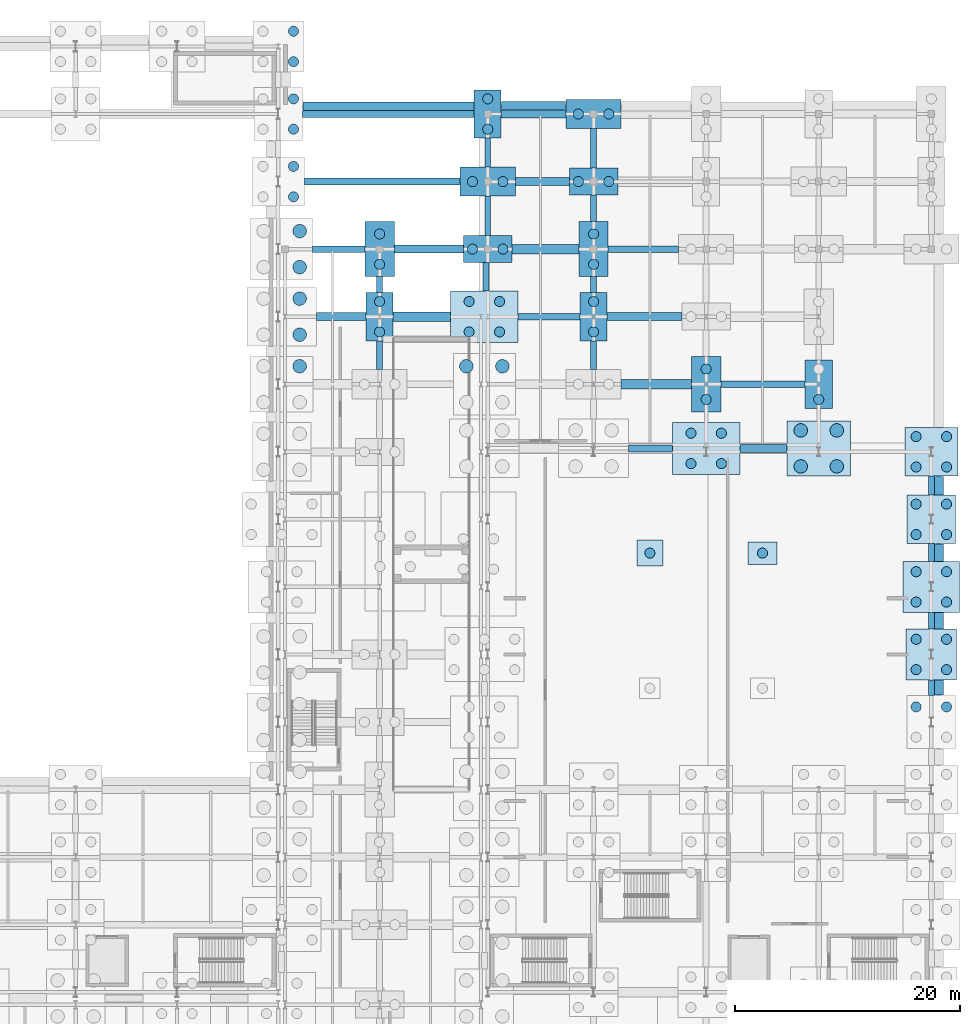
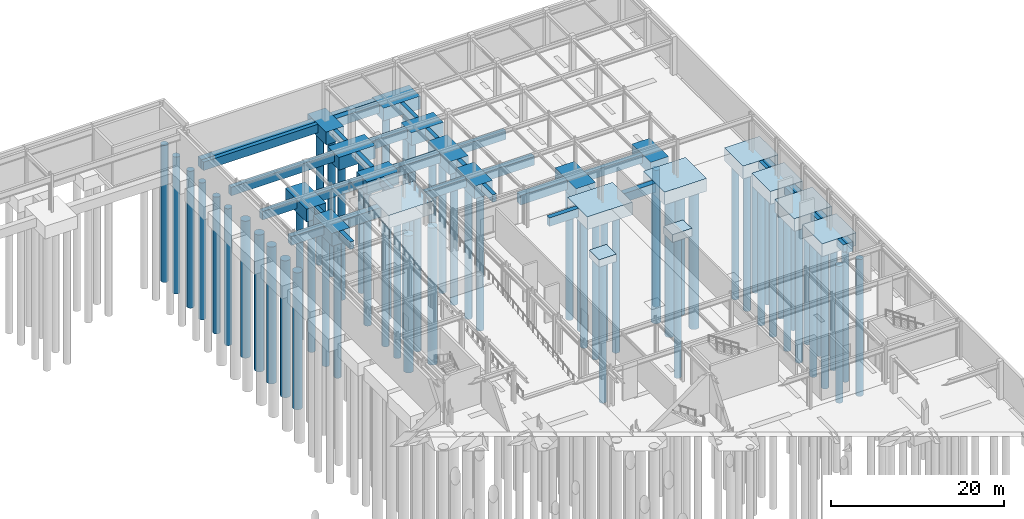
# One storey, part 11 of 65: 66 piles, 55 footings.
"""IFC4 building model written with IfcOpenShell, lengths in metres."""

from ifc_helpers import new_model, si_unit, direction, frame, origin, origin_2d, place, context, subcontext, project, spatial, rectangle, circle, extrude, material, material_profile, profile_set, type_object, element, save


model = new_model("IFC4")

# Units and contexts
model_context = context("Model", 3, precision=1e-05, world=origin(), true_north=direction((0.0, 1.0)))
body_context = subcontext(model_context, "Body", "Model", "MODEL_VIEW")
ifc_project = project(units=[si_unit("LENGTHUNIT", "METRE"), si_unit("AREAUNIT", "SQUARE_METRE"), si_unit("VOLUMEUNIT", "CUBIC_METRE"), si_unit("PLANEANGLEUNIT", "RADIAN"), si_unit("MASSUNIT", "GRAM", prefix="KILO")], contexts=[model_context])

# Site, building, storey
site_placement = place(None, origin())
site = spatial("IfcSite", under=ifc_project, at=site_placement, CompositionType="ELEMENT")
building_placement = place(site_placement, origin())
building = spatial("IfcBuilding", under=site, at=building_placement, Name="Kaldris Quays Convention Centre", CompositionType="ELEMENT")
storey_placement = place(building_placement, frame((0.0, 0.0, -5.39990234375)))
storey = spatial("IfcBuildingStorey", under=building, at=storey_placement, Name="B1", CompositionType="ELEMENT", Elevation=-5.39990234375)

# Piles
ifc_material = material(Name="Concrete C35/45", Category="concrete")
ifc_material_profile_1 = material_profile(ifc_material, circle(Radius=0.449951171875, at=origin_2d()), Name="BORED PILE D900")
ifc_profile_set_1 = profile_set([ifc_material_profile_1], Name="Concrete C35/45")
pile_type_1 = type_object("IfcPileType", Name="BORED PILE P01", PredefinedType="BORED", material=ifc_profile_set_1)
for number, where, z_axis, x_axis, name in (
    (1, (147.35009765625, 126.64990234375, -1.7001953125), (0.0, 0.0, -1.0), (1.0, 0.0, 0.0), "Bored Pile P01 512"),
    (2, (147.35009765625, 129.35009765625, -1.7001953125), (0.0, 0.0, -1.0), (1.0, 0.0, 0.0), "Bored Pile P01 514"),
    (3, (147.35009765625, 132.64990234375, -1.7001953125), (0.0, 0.0, -1.0), (1.0, 0.0, 0.0), "Bored Pile P01 516"),
    (4, (147.35009765625, 135.35009765625, -1.7001953125), (0.0, 0.0, -1.0), (1.0, 0.0, 0.0), "Bored Pile P01 518"),
    (5, (147.35009765625, 138.64990234375, -1.7001953125), (0.0, 0.0, -1.0), (1.0, 0.0, 0.0), "Bored Pile P01 520"),
    (6, (147.35009765625, 141.35009765625, -1.7001953125), (0.0, 0.0, -1.0), (1.0, 0.0, 0.0), "Bored Pile P01 522"),
    (7, (155.0, 114.64990234375, -1.7001953125), (0.0, 0.0, -1.0), (1.0, 0.0, 0.0), "Bored Pile P01 555"),
    (8, (155.0, 117.35009765625, -1.7001953125), (0.0, 0.0, -1.0), (1.0, 0.0, 0.0), "Bored Pile P01 556"),
    (9, (155.0, 120.64990234375, -1.7001953125), (0.0, 0.0, -1.0), (1.0, 0.0, 0.0), "Bored Pile P01 557"),
    (10, (155.0, 123.35009765625, -1.7001953125), (0.0, 0.0, -1.0), (1.0, 0.0, 0.0), "Bored Pile P01 558"),
    (11, (162.949951171875, 114.64990234375, -1.7001953125), (0.0, 0.0, -1.0), (1.0, 0.0, 0.0), "Bored Pile P01 607"),
    (12, (165.64990234375, 114.64990234375, -1.7001953125), (0.0, 0.0, -1.0), (1.0, 0.0, 0.0), "Bored Pile P01 608"),
    (13, (162.949951171875, 117.35009765625, -1.7001953125), (0.0, 0.0, -1.0), (1.0, 0.0, 0.0), "Bored Pile P01 609"),
    (14, (165.64990234375, 117.35009765625, -1.7001953125), (0.0, 0.0, -1.0), (1.0, 0.0, 0.0), "Bored Pile P01 610"),
    (15, (163.25, 122.0, -1.7001953125), (0.0, 0.0, -1.0), (1.0, 0.0, 0.0), "Bored Pile P01 617"),
    (16, (165.949951171875, 122.0, -1.7001953125), (0.0, 0.0, -1.0), (1.0, 0.0, 0.0), "Bored Pile P01 618"),
    (17, (163.25, 128.0, -1.7001953125), (0.0, 0.0, -1.0), (1.0, 0.0, 0.0), "Bored Pile P01 619"),
    (18, (165.949951171875, 128.0, -1.7001953125), (0.0, 0.0, -1.0), (1.0, 0.0, 0.0), "Bored Pile P01 620"),
    (19, (164.60009765625, 132.64990234375, -1.7001953125), (0.0, 0.0, -1.0), (1.0, 0.0, 0.0), "Bored Pile P01 621"),
    (20, (164.60009765625, 135.35009765625, -1.7001953125), (0.0, 0.0, -1.0), (1.0, 0.0, 0.0), "Bored Pile P01 622"),
    (21, (174.0, 114.64990234375, -1.7001953125), (0.0, 0.0, -1.0), (1.0, 0.0, 0.0), "Bored Pile P01 653"),
    (22, (174.0, 117.35009765625, -1.7001953125), (0.0, 0.0, -1.0), (1.0, 0.0, 0.0), "Bored Pile P01 654"),
    (23, (174.0, 120.64990234375, -1.7001953125), (0.0, 0.0, -1.0), (1.0, 0.0, 0.0), "Bored Pile P01 655"),
    (24, (174.0, 123.35009765625, -1.7001953125), (0.0, 0.0, -1.0), (1.0, 0.0, 0.0), "Bored Pile P01 656"),
    (25, (172.64990234375, 128.0, -1.7001953125), (0.0, 0.0, -1.0), (1.0, 0.0, 0.0), "Bored Pile P01 657"),
    (26, (175.35009765625, 128.0, -1.7001953125), (0.0, 0.0, -1.0), (1.0, 0.0, 0.0), "Bored Pile P01 658"),
    (27, (172.64990234375, 134.0, -1.7001953125), (0.0, 0.0, -1.0), (1.0, 0.0, 0.0), "Bored Pile P01 659"),
    (28, (175.35009765625, 134.0, -1.7001953125), (0.0, 0.0, -1.0), (1.0, 0.0, 0.0), "Bored Pile P01 660"),
    (29, (182.64990234375, 102.949951171875, -1.7001953125), (0.0, 0.0, -1.0), (1.0, 0.0, 0.0), "Bored Pile P01 683"),
    (30, (185.35009765625, 102.949951171875, -1.7001953125), (0.0, 0.0, -1.0), (1.0, 0.0, 0.0), "Bored Pile P01 684"),
    (31, (182.64990234375, 105.64990234375, -1.7001953125), (0.0, 0.0, -1.0), (1.0, 0.0, 0.0), "Bored Pile P01 685"),
    (32, (185.35009765625, 105.64990234375, -1.7001953125), (0.0, 0.0, -1.0), (1.0, 0.0, 0.0), "Bored Pile P01 686"),
    (33, (184.0, 108.64990234375, -1.7001953125), (0.0, 0.0, -1.0), (1.0, 0.0, 0.0), "Bored Pile P01 687"),
    (34, (184.0, 111.35009765625, -1.7001953125), (0.0, 0.0, -1.0), (1.0, 0.0, 0.0), "Bored Pile P01 688"),
    (35, (194.0, 108.64990234375, -1.7001953125), (0.0, 0.0, -1.0), (1.0, 0.0, 0.0), "Bored Pile P01 723"),
    (36, (202.64990234375, 81.35009765625, -1.7001953125), (0.0, 0.0, -1.0), (1.0, 0.0, 0.0), "Bored Pile P01 761"),
    (37, (205.35009765625, 81.35009765625, -1.7001953125), (0.0, 0.0, -1.0), (1.0, 0.0, 0.0), "Bored Pile P01 762"),
    (38, (202.64990234375, 84.64990234375, -1.7001953125), (0.0, 0.0, -1.0), (1.0, 0.0, 0.0), "Bored Pile P01 763"),
    (39, (205.35009765625, 84.64990234375, -1.7001953125), (0.0, 0.0, -1.0), (1.0, 0.0, 0.0), "Bored Pile P01 764"),
    (40, (202.64990234375, 87.35009765625, -1.7001953125), (0.0, 0.0, -1.0), (1.0, 0.0, 0.0), "Bored Pile P01 765"),
    (41, (205.35009765625, 87.35009765625, -1.7001953125), (0.0, 0.0, -1.0), (1.0, 0.0, 0.0), "Bored Pile P01 766"),
    (42, (202.64990234375, 90.64990234375, -1.7001953125), (0.0, 0.0, -1.0), (1.0, 0.0, 0.0), "Bored Pile P01 767"),
    (43, (205.35009765625, 90.64990234375, -1.7001953125), (0.0, 0.0, -1.0), (1.0, 0.0, 0.0), "Bored Pile P01 768"),
    (44, (202.64990234375, 93.35009765625, -1.7001953125), (0.0, 0.0, -1.0), (1.0, 0.0, 0.0), "Bored Pile P01 769"),
    (45, (205.35009765625, 93.35009765625, -1.7001953125), (0.0, 0.0, -1.0), (1.0, 0.0, 0.0), "Bored Pile P01 770"),
    (46, (202.64990234375, 96.64990234375, -1.7001953125), (0.0, 0.0, -1.0), (1.0, 0.0, 0.0), "Bored Pile P01 771"),
    (47, (205.35009765625, 96.64990234375, -1.7001953125), (0.0, 0.0, -1.0), (1.0, 0.0, 0.0), "Bored Pile P01 772"),
    (48, (202.64990234375, 99.35009765625, -1.7001953125), (0.0, 0.0, -1.0), (1.0, 0.0, 0.0), "Bored Pile P01 773"),
    (49, (205.35009765625, 99.35009765625, -1.7001953125), (0.0, 0.0, -1.0), (1.0, 0.0, 0.0), "Bored Pile P01 774"),
    (50, (202.64990234375, 102.64990234375, -1.7001953125), (0.0, 0.0, -1.0), (1.0, 0.0, 0.0), "Bored Pile P01 775"),
    (51, (205.35009765625, 102.64990234375, -1.7001953125), (0.0, 0.0, -1.0), (1.0, 0.0, 0.0), "Bored Pile P01 776"),
    (52, (202.64990234375, 105.35009765625, -1.7001953125), (0.0, 0.0, -1.0), (1.0, 0.0, 0.0), "Bored Pile P01 777"),
    (53, (205.35009765625, 105.35009765625, -1.7001953125), (0.0, 0.0, -1.0), (1.0, 0.0, 0.0), "Bored Pile P01 778"),
):
    element("IfcPile", number, at=place(storey_placement, frame(where, z_axis=z_axis, x_axis=x_axis)), inside=storey, type_object=pile_type_1, Name=name, PredefinedType="BORED", context=body_context, shape_type="SweptSolid", body=[
        extrude(circle(Radius=0.449951171875, at=origin_2d()), origin(), (0.0, 0.0, 1.0), 19.300048828125),
    ])
pile_1_placement = place(storey_placement, frame((179.0, 95.0, -0.9501953125), z_axis=(0.0, 0.0, -1.0), x_axis=(1.0, 0.0, 0.0)))
element("IfcPile", 54, at=pile_1_placement, inside=storey, type_object=pile_type_1, Name="Bored Pile P01 791", PredefinedType="BORED", context=body_context, shape_type="SweptSolid", body=[
    extrude(circle(Radius=0.449951171875, at=origin_2d()), origin(), (0.0, 0.0, 1.0), 20.050048828125),
])
pile_2_placement = place(storey_placement, frame((189.0, 95.0, -1.0), z_axis=(0.0, 0.0, -1.0), x_axis=(1.0, 0.0, 0.0)))
element("IfcPile", 55, at=pile_2_placement, inside=storey, type_object=pile_type_1, Name="Bored Pile P01 792", PredefinedType="BORED", context=body_context, shape_type="SweptSolid", body=[
    extrude(circle(Radius=0.449951171875, at=origin_2d()), origin(), (0.0, 0.0, 1.0), 20.0),
])
ifc_material_profile_2 = material_profile(ifc_material, circle(Radius=0.60009765625, at=origin_2d()), Name="BORED PILE D1200")
ifc_profile_set_2 = profile_set([ifc_material_profile_2], Name="Concrete C35/45")
pile_type_2 = type_object("IfcPileType", Name="BORED PILE P02", PredefinedType="BORED", material=ifc_profile_set_2)
for number, where, z_axis, x_axis, name in (
    (56, (147.89990234375, 111.60009765625, -1.7001953125), (0.0, 0.0, -1.0), (1.0, 0.0, 0.0), "Bored Pile P02 502"),
    (57, (147.89990234375, 114.39990234375, -1.7001953125), (0.0, 0.0, -1.0), (1.0, 0.0, 0.0), "Bored Pile P02 504"),
    (58, (147.89990234375, 117.60009765625, -1.7001953125), (0.0, 0.0, -1.0), (1.0, 0.0, 0.0), "Bored Pile P02 506"),
    (59, (147.89990234375, 120.39990234375, -1.7001953125), (0.0, 0.0, -1.0), (1.0, 0.0, 0.0), "Bored Pile P02 508"),
    (60, (147.89990234375, 123.60009765625, -1.7001953125), (0.0, 0.0, -1.0), (1.0, 0.0, 0.0), "Bored Pile P02 510"),
    (61, (162.699951171875, 111.60009765625, -1.7001953125), (0.0, 0.0, -1.0), (1.0, 0.0, 0.0), "Bored Pile P02 605"),
    (62, (165.89990234375, 111.60009765625, -1.7001953125), (0.0, 0.0, -1.0), (1.0, 0.0, 0.0), "Bored Pile P02 606"),
    (63, (192.39990234375, 102.699951171875, -1.7001953125), (0.0, 0.0, -1.0), (1.0, 0.0, 0.0), "Bored Pile P02 719"),
    (64, (195.60009765625, 102.699951171875, -1.7001953125), (0.0, 0.0, -1.0), (1.0, 0.0, 0.0), "Bored Pile P02 720"),
    (65, (192.39990234375, 105.89990234375, -1.7001953125), (0.0, 0.0, -1.0), (1.0, 0.0, 0.0), "Bored Pile P02 721"),
    (66, (195.60009765625, 105.89990234375, -1.7001953125), (0.0, 0.0, -1.0), (1.0, 0.0, 0.0), "Bored Pile P02 722"),
):
    element("IfcPile", number, at=place(storey_placement, frame(where, z_axis=z_axis, x_axis=x_axis)), inside=storey, type_object=pile_type_2, Name=name, PredefinedType="BORED", context=body_context, shape_type="SweptSolid", body=[
        extrude(circle(Radius=0.60009765625, at=origin_2d()), origin(), (0.0, 0.0, 1.0), 19.300048828125),
    ])

# Footings
footing_type_1 = type_object("IfcFootingType", Name="CONCRETE FOOTING PC02", PredefinedType="PILE_CAP", material=ifc_material)
for number, where, z_axis, x_axis, name in (
    (67, (164.60009765625, 122.0, -1.80029296875), (0.0, 0.0, 1.0), (1.0, 0.0, 0.0), "Pile Cap CAP-177 (PC02)"),
    (68, (174.0, 128.0, -1.80029296875), (0.0, 0.0, 1.0), (1.0, 0.0, 0.0), "Pile Cap CAP-193 (PC02)"),
):
    element("IfcFooting", number, at=place(storey_placement, frame(where, z_axis=z_axis, x_axis=x_axis)), inside=storey, type_object=footing_type_1, Name=name, PredefinedType="PILE_CAP", context=body_context, shape_type="SweptSolid", body=[
        extrude(rectangle(XDim=4.300048828125, YDim=2.39990234375, at=origin_2d()), origin(), (0.0, 0.0, 1.0), 1.800048828125),
    ])
footing_type_2 = type_object("IfcFootingType", Name="CONCRETE FOOTING PC03", PredefinedType="PILE_CAP", material=ifc_material)
for number, where, z_axis, x_axis, name in (
    (69, (155.0, 116.0, -1.80029296875), (0.0, 0.0, 1.0), (1.0, 0.0, 0.0), "Pile Cap CAP-155 (PC03)"),
    (70, (164.60009765625, 134.0, -1.80029296875), (0.0, 0.0, 1.0), (1.0, 0.0, 0.0), "Pile Cap CAP-179 (PC03)"),
    (71, (174.0, 116.0, -1.80029296875), (0.0, 0.0, 1.0), (1.0, 0.0, 0.0), "Pile Cap CAP-191 (PC03)"),
    (72, (194.0, 110.0, -1.80029296875), (0.0, 0.0, 1.0), (1.0, 0.0, 0.0), "Pile Cap CAP-219 (PC03)"),
):
    element("IfcFooting", number, at=place(storey_placement, frame(where, z_axis=z_axis, x_axis=x_axis)), inside=storey, type_object=footing_type_2, Name=name, PredefinedType="PILE_CAP", context=body_context, shape_type="SweptSolid", body=[
        extrude(rectangle(XDim=2.39990234375, YDim=4.300048828125, at=origin_2d()), origin(), (0.0, 0.0, 1.0), 1.800048828125),
    ])
footing_type_3 = type_object("IfcFootingType", Name="CONCRETE FOOTING PC04", PredefinedType="PILE_CAP", material=ifc_material)
footing_1_placement = place(storey_placement, frame((204.0, 98.0, -1.80029296875), z_axis=(0.0, 0.0, 1.0), x_axis=(1.0, 0.0, 0.0)))
element("IfcFooting", 73, at=footing_1_placement, inside=storey, type_object=footing_type_3, Name="Pile Cap CAP-236 (PC04)", PredefinedType="PILE_CAP", context=body_context, shape_type="SweptSolid", body=[
    extrude(rectangle(XDim=4.300048828125, YDim=4.300048828125, at=origin_2d()), origin(), (0.0, 0.0, 1.0), 1.800048828125),
])
footing_type_4 = type_object("IfcFootingType", Name="CONCRETE FOOTING PC07", PredefinedType="PILE_CAP", material=ifc_material)
footing_2_placement = place(storey_placement, frame((204.0, 104.0, -1.80029296875), z_axis=(0.0, 0.0, 1.0), x_axis=(1.0, 0.0, 0.0)))
element("IfcFooting", 74, at=footing_2_placement, inside=storey, type_object=footing_type_4, Name="Pile Cap CAP-237 (PC07)", PredefinedType="PILE_CAP", context=body_context, shape_type="SweptSolid", body=[
    extrude(rectangle(XDim=4.699951171875, YDim=4.300048828125, at=origin_2d()), origin(), (0.0, 0.0, 1.0), 1.800048828125),
])
footing_type_5 = type_object("IfcFootingType", Name="CONCRETE FOOTING PC09", PredefinedType="PILE_CAP", material=ifc_material)
footing_3_placement = place(storey_placement, frame((194.0, 104.300048828125, -1.80029296875), z_axis=(0.0, 0.0, 1.0), x_axis=(1.0, 0.0, 0.0)))
element("IfcFooting", 75, at=footing_3_placement, inside=storey, type_object=footing_type_5, Name="Pile Cap CAP-218 (PC09)", PredefinedType="PILE_CAP", context=body_context, shape_type="SweptSolid", body=[
    extrude(rectangle(XDim=5.60009765625, YDim=4.89990234375, at=origin_2d()), origin(), (0.0, 0.0, 1.0), 1.800048828125),
])
footing_type_6 = type_object("IfcFootingType", Name="CONCRETE FOOTING PC11", PredefinedType="PILE_CAP", material=ifc_material)
for number, where, z_axis, x_axis, name in (
    (76, (164.60009765625, 128.0, -1.80029296875), (0.0, 0.0, 1.0), (1.0, 0.0, 0.0), "Pile Cap CAP-178 (PC11)"),
    (77, (174.0, 134.0, -1.80029296875), (0.0, 0.0, 1.0), (1.0, 0.0, 0.0), "Pile Cap CAP-194 (PC11)"),
):
    element("IfcFooting", number, at=place(storey_placement, frame(where, z_axis=z_axis, x_axis=x_axis)), inside=storey, type_object=footing_type_6, Name=name, PredefinedType="PILE_CAP", context=body_context, shape_type="SweptSolid", body=[
        extrude(rectangle(XDim=4.89990234375, YDim=2.60009765625, at=origin_2d()), origin(), (0.0, 0.0, 1.0), 1.800048828125),
    ])
footing_type_7 = type_object("IfcFootingType", Name="CONCRETE FOOTING PC12", PredefinedType="PILE_CAP", material=ifc_material)
for number, where, z_axis, x_axis, name in (
    (78, (155.0, 122.0, -1.80029296875), (0.0, 0.0, 1.0), (1.0, 0.0, 0.0), "Pile Cap CAP-156 (PC12)"),
    (79, (174.0, 122.0, -1.80029296875), (0.0, 0.0, 1.0), (1.0, 0.0, 0.0), "Pile Cap CAP-192 (PC12)"),
    (80, (184.0, 110.0, -1.80029296875), (0.0, 0.0, 1.0), (1.0, 0.0, 0.0), "Pile Cap CAP-204 (PC12)"),
):
    element("IfcFooting", number, at=place(storey_placement, frame(where, z_axis=z_axis, x_axis=x_axis)), inside=storey, type_object=footing_type_7, Name=name, PredefinedType="PILE_CAP", context=body_context, shape_type="SweptSolid", body=[
        extrude(rectangle(XDim=2.60009765625, YDim=4.89990234375, at=origin_2d()), origin(), (0.0, 0.0, 1.0), 1.800048828125),
    ])
footing_type_8 = type_object("IfcFootingType", Name="CONCRETE FOOTING PC13", PredefinedType="PILE_CAP", material=ifc_material)
footing_4_placement = place(storey_placement, frame((204.0, 86.0, -1.80029296875), z_axis=(0.0, 0.0, 1.0), x_axis=(1.0, 0.0, 0.0)))
element("IfcFooting", 81, at=footing_4_placement, inside=storey, type_object=footing_type_8, Name="Pile Cap CAP-234 (PC13)", PredefinedType="PILE_CAP", context=body_context, shape_type="SweptSolid", body=[
    extrude(rectangle(XDim=4.5, YDim=4.5, at=origin_2d()), origin(), (0.0, 0.0, 1.0), 1.800048828125),
])
footing_type_9 = type_object("IfcFootingType", Name="CONCRETE FOOTING PC14", PredefinedType="PILE_CAP", material=ifc_material)
footing_5_placement = place(storey_placement, frame((204.0, 92.0, -1.80029296875), z_axis=(0.0, 0.0, 1.0), x_axis=(1.0, 0.0, 0.0)))
element("IfcFooting", 82, at=footing_5_placement, inside=storey, type_object=footing_type_9, Name="Pile Cap CAP-235 (PC14)", PredefinedType="PILE_CAP", context=body_context, shape_type="SweptSolid", body=[
    extrude(rectangle(XDim=5.0, YDim=4.5, at=origin_2d()), origin(), (0.0, 0.0, 1.0), 1.800048828125),
])
footing_type_10 = type_object("IfcFootingType", Name="CONCRETE FOOTING PC16", PredefinedType="PILE_CAP", material=ifc_material)
for number, where, z_axis, x_axis, name in (
    (83, (164.300048828125, 116.0, -1.80029296875), (0.0, 0.0, 1.0), (1.0, 0.0, 0.0), "Pile Cap CAP-173 (PC16)"),
    (84, (184.0, 104.300048828125, -1.80029296875), (0.0, 0.0, 1.0), (1.0, 0.0, 0.0), "Pile Cap CAP-203 (PC16)"),
):
    element("IfcFooting", number, at=place(storey_placement, frame(where, z_axis=z_axis, x_axis=x_axis)), inside=storey, type_object=footing_type_10, Name=name, PredefinedType="PILE_CAP", context=body_context, shape_type="SweptSolid", body=[
        extrude(rectangle(XDim=6.0, YDim=4.60009765625, at=origin_2d()), origin(), (0.0, 0.0, 1.0), 1.800048828125),
    ])
footing_type_11 = type_object("IfcFootingType", Name="CONCRETE FOOTING PF03", PredefinedType="PAD_FOOTING", material=ifc_material)
footing_6_placement = place(storey_placement, frame((179.0, 95.0, -1.05029296875), z_axis=(0.0, 0.0, 1.0), x_axis=(1.0, 0.0, 0.0)))
element("IfcFooting", 85, at=footing_6_placement, inside=storey, type_object=footing_type_11, Name="Equipment Pad Footing PF03 7", PredefinedType="PAD_FOOTING", context=body_context, shape_type="SweptSolid", body=[
    extrude(rectangle(XDim=2.300048828125, YDim=2.300048828125, at=origin_2d()), origin(), (0.0, 0.0, 1.0), 1.050048828125),
])
footing_type_12 = type_object("IfcFootingType", Name="CONCRETE FOOTING PF04", PredefinedType="PAD_FOOTING", material=ifc_material)
footing_7_placement = place(storey_placement, frame((189.0, 95.0, -1.10009765625), z_axis=(0.0, 0.0, 1.0), x_axis=(1.0, 0.0, 0.0)))
element("IfcFooting", 86, at=footing_7_placement, inside=storey, type_object=footing_type_12, Name="Equipment Pad Footing PF04 8", PredefinedType="PAD_FOOTING", context=body_context, shape_type="SweptSolid", body=[
    extrude(rectangle(XDim=2.60009765625, YDim=2.0, at=origin_2d()), origin(), (0.0, 0.0, 1.0), 1.10009765625),
])
footing_type_13 = type_object("IfcFootingType", Name="GROUND TIE BEAM GB01", PredefinedType="FOOTING_BEAM", material=ifc_material)
footing_8_placement = place(storey_placement, frame((179.050048828125, 104.300048828125, -1.2001953125), z_axis=(0.0, 0.0, 1.0), x_axis=(1.0, 0.0, 0.0)))
element("IfcFooting", 87, at=footing_8_placement, inside=storey, type_object=footing_type_13, Name="Ground Tie Beam GB01 126", PredefinedType="FOOTING_BEAM", context=body_context, shape_type="SweptSolid", body=[
    extrude(rectangle(XDim=3.89990234375, YDim=0.60009765625, at=origin_2d()), origin(), (0.0, 0.0, 1.0), 1.199951171875),
])
footing_9_placement = place(storey_placement, frame((189.050048828125, 110.0, -1.2001953125), z_axis=(0.0, 0.0, 1.0), x_axis=(1.0, 0.0, 0.0)))
element("IfcFooting", 88, at=footing_9_placement, inside=storey, type_object=footing_type_13, Name="Ground Tie Beam GB01 132", PredefinedType="FOOTING_BEAM", context=body_context, shape_type="SweptSolid", body=[
    extrude(rectangle(XDim=7.5, YDim=0.60009765625, at=origin_2d()), origin(), (0.0, 0.0, 1.0), 1.199951171875),
])
footing_10_placement = place(storey_placement, frame((170.050048828125, 116.0, -1.2001953125), z_axis=(0.0, 0.0, 1.0), x_axis=(1.0, 0.0, 0.0)))
element("IfcFooting", 89, at=footing_10_placement, inside=storey, type_object=footing_type_13, Name="Ground Tie Beam GB01 135", PredefinedType="FOOTING_BEAM", context=body_context, shape_type="SweptSolid", body=[
    extrude(rectangle(XDim=5.5, YDim=0.60009765625, at=origin_2d()), origin(), (0.0, 0.0, 1.0), 1.199951171875),
])
footing_11_placement = place(storey_placement, frame((151.375, 122.0, -1.2001953125), z_axis=(0.0, 0.0, 1.0), x_axis=(1.0, 0.0, 0.0)))
element("IfcFooting", 90, at=footing_11_placement, inside=storey, type_object=footing_type_13, Name="Ground Tie Beam GB01 138", PredefinedType="FOOTING_BEAM", context=body_context, shape_type="SweptSolid", body=[
    extrude(rectangle(XDim=4.64990234375, YDim=0.60009765625, at=origin_2d()), origin(), (0.0, 0.0, 1.0), 1.199951171875),
])
footing_12_placement = place(storey_placement, frame((178.425048828125, 122.0, -1.2001953125), z_axis=(0.0, 0.0, 1.0), x_axis=(1.0, 0.0, 0.0)))
element("IfcFooting", 91, at=footing_12_placement, inside=storey, type_object=footing_type_13, Name="Ground Tie Beam GB01 141", PredefinedType="FOOTING_BEAM", context=body_context, shape_type="SweptSolid", body=[
    extrude(rectangle(XDim=6.25, YDim=0.60009765625, at=origin_2d()), origin(), (0.0, 0.0, 1.0), 1.199951171875),
])
footing_13_placement = place(storey_placement, frame((155.25, 128.0, -1.2001953125), z_axis=(0.0, 0.0, 1.0), x_axis=(1.0, 0.0, 0.0)))
element("IfcFooting", 92, at=footing_13_placement, inside=storey, type_object=footing_type_13, Name="Ground Tie Beam GB01 144", PredefinedType="FOOTING_BEAM", context=body_context, shape_type="SweptSolid", body=[
    extrude(rectangle(XDim=13.800048828125, YDim=0.60009765625, at=origin_2d()), origin(), (0.0, 0.0, 1.0), 1.199951171875),
])
footing_14_placement = place(storey_placement, frame((155.77490234375, 134.0, -1.2001953125), z_axis=(0.0, 0.0, 1.0), x_axis=(1.0, 0.0, 0.0)))
element("IfcFooting", 93, at=footing_14_placement, inside=storey, type_object=footing_type_13, Name="Ground Tie Beam GB01 156", PredefinedType="FOOTING_BEAM", context=body_context, shape_type="SweptSolid", body=[
    extrude(rectangle(XDim=15.25, YDim=0.60009765625, at=origin_2d()), origin(), (0.0, 0.0, 1.0), 1.199951171875),
])
footing_type_14 = type_object("IfcFootingType", Name="GROUND TIE BEAM GB02", PredefinedType="FOOTING_BEAM", material=ifc_material)
footing_15_placement = place(storey_placement, frame((189.10009765625, 104.300048828125, -1.25), z_axis=(0.0, 0.0, 1.0), x_axis=(1.0, 0.0, 0.0)))
element("IfcFooting", 94, at=footing_15_placement, inside=storey, type_object=footing_type_14, Name="Ground Tie Beam GB02 127", PredefinedType="FOOTING_BEAM", context=body_context, shape_type="SweptSolid", body=[
    extrude(rectangle(XDim=4.199951171875, YDim=0.719970703125, at=origin_2d()), origin(), (0.0, 0.0, 1.0), 1.25),
])
footing_16_placement = place(storey_placement, frame((151.60009765625, 116.0, -1.25), z_axis=(0.0, 0.0, 1.0), x_axis=(1.0, 0.0, 0.0)))
element("IfcFooting", 95, at=footing_16_placement, inside=storey, type_object=footing_type_14, Name="Ground Tie Beam GB02 133", PredefinedType="FOOTING_BEAM", context=body_context, shape_type="SweptSolid", body=[
    extrude(rectangle(XDim=4.39990234375, YDim=0.719970703125, at=origin_2d()), origin(), (0.0, 0.0, 1.0), 1.25),
])
footing_17_placement = place(storey_placement, frame((178.52490234375, 116.0, -1.25), z_axis=(0.0, 0.0, 1.0), x_axis=(1.0, 0.0, 0.0)))
element("IfcFooting", 96, at=footing_17_placement, inside=storey, type_object=footing_type_14, Name="Ground Tie Beam GB02 136", PredefinedType="FOOTING_BEAM", context=body_context, shape_type="SweptSolid", body=[
    extrude(rectangle(XDim=6.64990234375, YDim=0.719970703125, at=origin_2d()), origin(), (0.0, 0.0, 1.0), 1.25),
])
footing_18_placement = place(storey_placement, frame((159.375, 122.0, -1.25), z_axis=(0.0, 0.0, 1.0), x_axis=(1.0, 0.0, 0.0)))
element("IfcFooting", 97, at=footing_18_placement, inside=storey, type_object=footing_type_14, Name="Ground Tie Beam GB02 139", PredefinedType="FOOTING_BEAM", context=body_context, shape_type="SweptSolid", body=[
    extrude(rectangle(XDim=6.14990234375, YDim=0.719970703125, at=origin_2d()), origin(), (0.0, 0.0, 1.0), 1.25),
])
footing_19_placement = place(storey_placement, frame((169.449951171875, 128.0, -1.25), z_axis=(0.0, 0.0, 1.0), x_axis=(1.0, 0.0, 0.0)))
element("IfcFooting", 98, at=footing_19_placement, inside=storey, type_object=footing_type_14, Name="Ground Tie Beam GB02 145", PredefinedType="FOOTING_BEAM", context=body_context, shape_type="SweptSolid", body=[
    extrude(rectangle(XDim=4.800048828125, YDim=0.719970703125, at=origin_2d()), origin(), (0.0, 0.0, 1.0), 1.25),
])
footing_20_placement = place(storey_placement, frame((168.675048828125, 134.0, -1.25), z_axis=(0.0, 0.0, 1.0), x_axis=(1.0, 0.0, 0.0)))
element("IfcFooting", 99, at=footing_20_placement, inside=storey, type_object=footing_type_14, Name="Ground Tie Beam GB02 157", PredefinedType="FOOTING_BEAM", context=body_context, shape_type="SweptSolid", body=[
    extrude(rectangle(XDim=5.75, YDim=0.719970703125, at=origin_2d()), origin(), (0.0, 0.0, 1.0), 1.25),
])
footing_type_15 = type_object("IfcFootingType", Name="GROUND TIE BEAM GB03", PredefinedType="FOOTING_BEAM", material=ifc_material)
footing_21_placement = place(storey_placement, frame((155.0, 112.574951171875, -1.05029296875), z_axis=(0.0, 0.0, 1.0), x_axis=(1.0, 0.0, 0.0)))
element("IfcFooting", 100, at=footing_21_placement, inside=storey, type_object=footing_type_15, Name="Ground Tie Beam GB03 280", PredefinedType="FOOTING_BEAM", context=body_context, shape_type="SweptSolid", body=[
    extrude(rectangle(XDim=0.52001953125, YDim=2.550048828125, at=origin_2d()), origin(), (0.0, 0.0, 1.0), 1.050048828125),
])
footing_22_placement = place(storey_placement, frame((155.0, 118.85009765625, -1.05029296875), z_axis=(0.0, 0.0, 1.0), x_axis=(1.0, 0.0, 0.0)))
element("IfcFooting", 101, at=footing_22_placement, inside=storey, type_object=footing_type_15, Name="Ground Tie Beam GB03 281", PredefinedType="FOOTING_BEAM", context=body_context, shape_type="SweptSolid", body=[
    extrude(rectangle(XDim=0.52001953125, YDim=1.39990234375, at=origin_2d()), origin(), (0.0, 0.0, 1.0), 1.050048828125),
])
footing_23_placement = place(storey_placement, frame((164.449951171875, 119.550048828125, -1.05029296875), z_axis=(0.0, 0.0, 1.0), x_axis=(1.0, 0.0, 0.0)))
element("IfcFooting", 102, at=footing_23_placement, inside=storey, type_object=footing_type_15, Name="Ground Tie Beam GB03 288", PredefinedType="FOOTING_BEAM", context=body_context, shape_type="SweptSolid", body=[
    extrude(rectangle(XDim=0.52001953125, YDim=2.5, at=origin_2d()), origin(), (0.0, 0.0, 1.0), 1.050048828125),
])
footing_24_placement = place(storey_placement, frame((164.60009765625, 124.949951171875, -1.05029296875), z_axis=(0.0, 0.0, 1.0), x_axis=(1.0, 0.0, 0.0)))
element("IfcFooting", 103, at=footing_24_placement, inside=storey, type_object=footing_type_15, Name="Ground Tie Beam GB03 289", PredefinedType="FOOTING_BEAM", context=body_context, shape_type="SweptSolid", body=[
    extrude(rectangle(XDim=0.52001953125, YDim=3.5, at=origin_2d()), origin(), (0.0, 0.0, 1.0), 1.050048828125),
])
for number, where, z_axis, x_axis, name in (
    (104, (164.60009765625, 130.574951171875, -1.05029296875), (0.0, 0.0, 1.0), (1.0, 0.0, 0.0), "Ground Tie Beam GB03 290"),
    (105, (174.0, 112.574951171875, -1.05029296875), (0.0, 0.0, 1.0), (1.0, 0.0, 0.0), "Ground Tie Beam GB03 298"),
):
    element("IfcFooting", number, at=place(storey_placement, frame(where, z_axis=z_axis, x_axis=x_axis)), inside=storey, type_object=footing_type_15, Name=name, PredefinedType="FOOTING_BEAM", context=body_context, shape_type="SweptSolid", body=[
        extrude(rectangle(XDim=0.52001953125, YDim=2.550048828125, at=origin_2d()), origin(), (0.0, 0.0, 1.0), 1.050048828125),
    ])
footing_25_placement = place(storey_placement, frame((174.0, 118.85009765625, -1.05029296875), z_axis=(0.0, 0.0, 1.0), x_axis=(1.0, 0.0, 0.0)))
element("IfcFooting", 106, at=footing_25_placement, inside=storey, type_object=footing_type_15, Name="Ground Tie Beam GB03 299", PredefinedType="FOOTING_BEAM", context=body_context, shape_type="SweptSolid", body=[
    extrude(rectangle(XDim=0.52001953125, YDim=1.39990234375, at=origin_2d()), origin(), (0.0, 0.0, 1.0), 1.050048828125),
])
footing_26_placement = place(storey_placement, frame((174.0, 125.625, -1.05029296875), z_axis=(0.0, 0.0, 1.0), x_axis=(1.0, 0.0, 0.0)))
element("IfcFooting", 107, at=footing_26_placement, inside=storey, type_object=footing_type_15, Name="Ground Tie Beam GB03 300", PredefinedType="FOOTING_BEAM", context=body_context, shape_type="SweptSolid", body=[
    extrude(rectangle(XDim=0.52001953125, YDim=2.35009765625, at=origin_2d()), origin(), (0.0, 0.0, 1.0), 1.050048828125),
])
footing_27_placement = place(storey_placement, frame((174.0, 130.949951171875, -1.05029296875), z_axis=(0.0, 0.0, 1.0), x_axis=(1.0, 0.0, 0.0)))
element("IfcFooting", 108, at=footing_27_placement, inside=storey, type_object=footing_type_15, Name="Ground Tie Beam GB03 301", PredefinedType="FOOTING_BEAM", context=body_context, shape_type="SweptSolid", body=[
    extrude(rectangle(XDim=0.52001953125, YDim=3.5, at=origin_2d()), origin(), (0.0, 0.0, 1.0), 1.050048828125),
])
footing_28_placement = place(storey_placement, frame((204.0, 83.050048828125, -1.05029296875), z_axis=(0.0, 0.0, 1.0), x_axis=(1.0, 0.0, 0.0)))
element("IfcFooting", 109, at=footing_28_placement, inside=storey, type_object=footing_type_15, Name="Ground Tie Beam GB03 331", PredefinedType="FOOTING_BEAM", context=body_context, shape_type="SweptSolid", body=[
    extrude(rectangle(XDim=0.52001953125, YDim=1.39990234375, at=origin_2d()), origin(), (0.0, 0.0, 1.0), 1.050048828125),
])
footing_29_placement = place(storey_placement, frame((204.0, 89.0, -1.05029296875), z_axis=(0.0, 0.0, 1.0), x_axis=(1.0, 0.0, 0.0)))
element("IfcFooting", 110, at=footing_29_placement, inside=storey, type_object=footing_type_15, Name="Ground Tie Beam GB03 332", PredefinedType="FOOTING_BEAM", context=body_context, shape_type="SweptSolid", body=[
    extrude(rectangle(XDim=0.52001953125, YDim=1.5, at=origin_2d()), origin(), (0.0, 0.0, 1.0), 1.050048828125),
])
footing_30_placement = place(storey_placement, frame((204.0, 95.050048828125, -1.05029296875), z_axis=(0.0, 0.0, 1.0), x_axis=(1.0, 0.0, 0.0)))
element("IfcFooting", 111, at=footing_30_placement, inside=storey, type_object=footing_type_15, Name="Ground Tie Beam GB03 333", PredefinedType="FOOTING_BEAM", context=body_context, shape_type="SweptSolid", body=[
    extrude(rectangle(XDim=0.52001953125, YDim=1.60009765625, at=origin_2d()), origin(), (0.0, 0.0, 1.0), 1.050048828125),
])
footing_31_placement = place(storey_placement, frame((204.0, 101.0, -1.05029296875), z_axis=(0.0, 0.0, 1.0), x_axis=(1.0, 0.0, 0.0)))
element("IfcFooting", 112, at=footing_31_placement, inside=storey, type_object=footing_type_15, Name="Ground Tie Beam GB03 334", PredefinedType="FOOTING_BEAM", context=body_context, shape_type="SweptSolid", body=[
    extrude(rectangle(XDim=0.52001953125, YDim=1.699951171875, at=origin_2d()), origin(), (0.0, 0.0, 1.0), 1.050048828125),
])
footing_type_16 = type_object("IfcFootingType", Name="GROUND TIE BEAM GB04", PredefinedType="FOOTING_BEAM", material=ifc_material)
footing_32_placement = place(storey_placement, frame((179.574951171875, 110.0, -1.35009765625), z_axis=(0.0, 0.0, 1.0), x_axis=(1.0, 0.0, 0.0)))
element("IfcFooting", 113, at=footing_32_placement, inside=storey, type_object=footing_type_16, Name="Ground Tie Beam GB04 131", PredefinedType="FOOTING_BEAM", context=body_context, shape_type="SweptSolid", body=[
    extrude(rectangle(XDim=6.25, YDim=0.840087890625, at=origin_2d()), origin(), (0.0, 0.0, 1.0), 1.35009765625),
])
footing_33_placement = place(storey_placement, frame((158.75, 116.0, -1.35009765625), z_axis=(0.0, 0.0, 1.0), x_axis=(1.0, 0.0, 0.0)))
element("IfcFooting", 114, at=footing_33_placement, inside=storey, type_object=footing_type_16, Name="Ground Tie Beam GB04 134", PredefinedType="FOOTING_BEAM", context=body_context, shape_type="SweptSolid", body=[
    extrude(rectangle(XDim=5.10009765625, YDim=0.840087890625, at=origin_2d()), origin(), (0.0, 0.0, 1.0), 1.35009765625),
])
footing_34_placement = place(storey_placement, frame((169.72509765625, 122.0, -1.35009765625), z_axis=(0.0, 0.0, 1.0), x_axis=(1.0, 0.0, 0.0)))
element("IfcFooting", 115, at=footing_34_placement, inside=storey, type_object=footing_type_16, Name="Ground Tie Beam GB04 140", PredefinedType="FOOTING_BEAM", context=body_context, shape_type="SweptSolid", body=[
    extrude(rectangle(XDim=5.949951171875, YDim=0.840087890625, at=origin_2d()), origin(), (0.0, 0.0, 1.0), 1.35009765625),
])
footing_35_placement = place(storey_placement, frame((168.675048828125, 134.669921875, -1.35009765625), z_axis=(0.0, 0.0, 1.0), x_axis=(1.0, 0.0, 0.0)))
element("IfcFooting", 116, at=footing_35_placement, inside=storey, type_object=footing_type_16, Name="Perimeter Retaining Wall Strip Footing GB04 28", PredefinedType="FOOTING_BEAM", context=body_context, shape_type="SweptSolid", body=[
    extrude(rectangle(XDim=5.68994140625, YDim=0.840087890625, at=origin_2d()), origin(), (0.0, 0.0, 1.0), 1.35009765625),
])
footing_36_placement = place(storey_placement, frame((155.77490234375, 134.64990234375, -1.35009765625), z_axis=(0.0, 0.0, 1.0), x_axis=(1.0, 0.0, 0.0)))
element("IfcFooting", 117, at=footing_36_placement, inside=storey, type_object=footing_type_16, Name="Perimeter Retaining Wall Strip Footing GB04 29", PredefinedType="FOOTING_BEAM", context=body_context, shape_type="SweptSolid", body=[
    extrude(rectangle(XDim=15.18994140625, YDim=0.840087890625, at=origin_2d()), origin(), (0.0, 0.0, 1.0), 1.35009765625),
])
footing_37_placement = place(storey_placement, frame((204.64990234375, 83.050048828125, -1.35009765625), z_axis=(0.0, 0.0, 1.0), x_axis=(1.0, 0.0, 0.0)))
element("IfcFooting", 118, at=footing_37_placement, inside=storey, type_object=footing_type_16, Name="Perimeter Retaining Wall Strip Footing GB04 38", PredefinedType="FOOTING_BEAM", context=body_context, shape_type="SweptSolid", body=[
    extrude(rectangle(XDim=0.840087890625, YDim=1.340087890625, at=origin_2d()), origin(), (0.0, 0.0, 1.0), 1.35009765625),
])
footing_38_placement = place(storey_placement, frame((204.64990234375, 89.0, -1.35009765625), z_axis=(0.0, 0.0, 1.0), x_axis=(1.0, 0.0, 0.0)))
element("IfcFooting", 119, at=footing_38_placement, inside=storey, type_object=footing_type_16, Name="Perimeter Retaining Wall Strip Footing GB04 39", PredefinedType="FOOTING_BEAM", context=body_context, shape_type="SweptSolid", body=[
    extrude(rectangle(XDim=0.840087890625, YDim=1.43994140625, at=origin_2d()), origin(), (0.0, 0.0, 1.0), 1.35009765625),
])
footing_39_placement = place(storey_placement, frame((204.64990234375, 95.050048828125, -1.35009765625), z_axis=(0.0, 0.0, 1.0), x_axis=(1.0, 0.0, 0.0)))
element("IfcFooting", 120, at=footing_39_placement, inside=storey, type_object=footing_type_16, Name="Perimeter Retaining Wall Strip Footing GB04 40", PredefinedType="FOOTING_BEAM", context=body_context, shape_type="SweptSolid", body=[
    extrude(rectangle(XDim=0.840087890625, YDim=1.5400390625, at=origin_2d()), origin(), (0.0, 0.0, 1.0), 1.35009765625),
])
footing_40_placement = place(storey_placement, frame((204.64990234375, 101.0, -1.35009765625), z_axis=(0.0, 0.0, 1.0), x_axis=(1.0, 0.0, 0.0)))
element("IfcFooting", 121, at=footing_40_placement, inside=storey, type_object=footing_type_16, Name="Perimeter Retaining Wall Strip Footing GB04 41", PredefinedType="FOOTING_BEAM", context=body_context, shape_type="SweptSolid", body=[
    extrude(rectangle(XDim=0.840087890625, YDim=1.639892578125, at=origin_2d()), origin(), (0.0, 0.0, 1.0), 1.35009765625),
])

save(model, "model.ifc")
